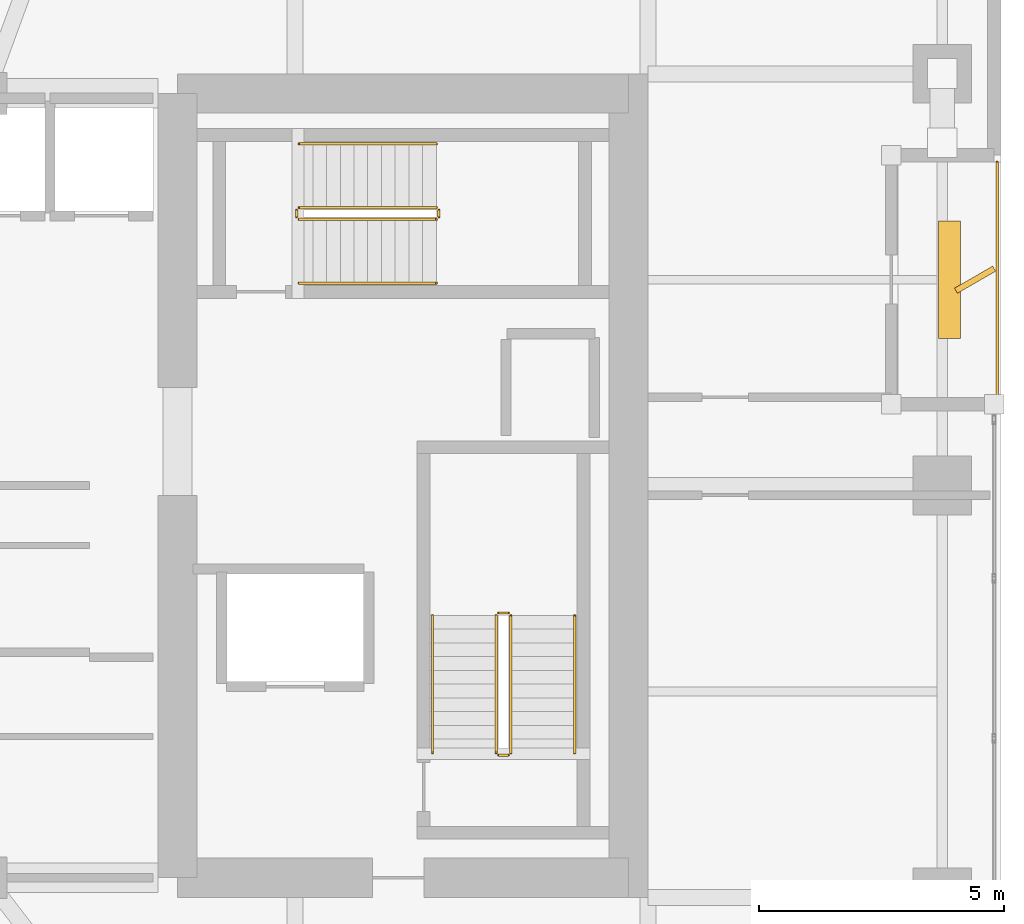
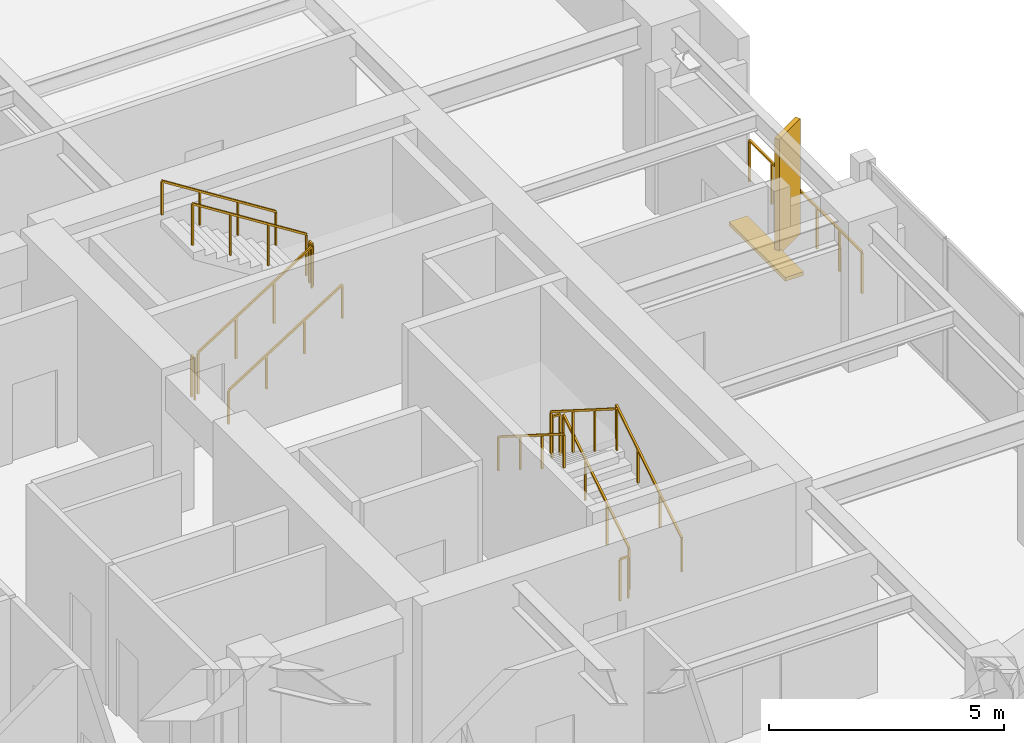
# One storey, part 29 of 30: 13 railings, 2 shading devices.
"""IFC4 building model written with IfcOpenShell, lengths in metres."""

from ifc_helpers import new_model, si_unit, direction, frame, origin, origin_2d, place, context, subcontext, project, spatial, rectangle, extrude, material, type_object, element, save


model = new_model("IFC4")

# Units and contexts
model_context = context("Model", 3, precision=1e-05, world=origin(), true_north=direction((0.0, 1.0)))
body_context = subcontext(model_context, "Body", "Model", "MODEL_VIEW")
ifc_project = project(units=[si_unit("LENGTHUNIT", "METRE"), si_unit("AREAUNIT", "SQUARE_METRE"), si_unit("VOLUMEUNIT", "CUBIC_METRE"), si_unit("PLANEANGLEUNIT", "RADIAN"), si_unit("MASSUNIT", "GRAM", prefix="KILO")], contexts=[model_context])

# Site, building, storey
site_placement = place(None, origin())
site = spatial("IfcSite", under=ifc_project, at=site_placement, CompositionType="ELEMENT")
building_placement = place(site_placement, origin())
building = spatial("IfcBuilding", under=site, at=building_placement, Name="Kiyonajd Concourse Tower", CompositionType="ELEMENT")
storey_placement = place(building_placement, frame((0.0, 0.0, 162.300048828125)))
storey = spatial("IfcBuildingStorey", under=building, at=storey_placement, Name="L41", CompositionType="ELEMENT", Elevation=162.300048828125)

# Railings
ifc_material_1 = material(Name="Thermally Broken Anodised Aluminium", Category="aluminium")
railing_type_1 = type_object("IfcRailingType", Name="RL-GRD-LOG", PredefinedType="GUARDRAIL", material=ifc_material_1)
railing_1_placement = place(storey_placement, frame((70.719970703125, 37.800048828125, 0.0)))
element("IfcRailing", 1, at=railing_1_placement, inside=storey, type_object=railing_type_1, Name="L41 Engawa Loggia Perimeter Guard LOG-E", PredefinedType="GUARDRAIL", context=body_context, shape_type="SweptSolid", body=[
    extrude(rectangle(XDim=0.048095703125, YDim=0.048095703125, at=origin_2d()), frame((0.0, 0.0, 1.076171875), z_axis=(0.0, 1.0, 0.0), x_axis=(-1.0, 0.0, 0.0)), (0.0, 0.0, 1.0), 4.800048828125),
    extrude(rectangle(XDim=0.0419921875, YDim=0.0419921875, at=origin_2d()), origin(), (0.0, 0.0, 1.0), 1.052001953125),
    extrude(rectangle(XDim=0.0419921875, YDim=0.0419921875, at=origin_2d()), frame((0.0, 0.9599609375, 0.0)), (0.0, 0.0, 1.0), 1.052001953125),
    extrude(rectangle(XDim=0.0419921875, YDim=0.0419921875, at=origin_2d()), frame((0.0, 1.919921875, 0.0)), (0.0, 0.0, 1.0), 1.052001953125),
    extrude(rectangle(XDim=0.0419921875, YDim=0.0419921875, at=origin_2d()), frame((0.0, 2.880126953125, 0.0)), (0.0, 0.0, 1.0), 1.052001953125),
    extrude(rectangle(XDim=0.0419921875, YDim=0.0419921875, at=origin_2d()), frame((0.0, 3.840087890625, 0.0)), (0.0, 0.0, 1.0), 1.052001953125),
    extrude(rectangle(XDim=0.0419921875, YDim=0.0419921875, at=origin_2d()), frame((0.0, 4.800048828125, 0.0)), (0.0, 0.0, 1.0), 1.052001953125),
])
ifc_material_2 = material(Name="Steel ASTM A500 Grade C", Category="steel")
railing_type_2 = type_object("IfcRailingType", Name="RL-GRD-STR", PredefinedType="GUARDRAIL", material=ifc_material_2)
railing_2_placement = place(storey_placement, frame((60.800048828125, 30.550048828125, 0.17724609375)))
element("IfcRailing", 2, at=railing_2_placement, inside=storey, type_object=railing_type_2, Name="L41 ST2 stair guard 1", PredefinedType="GUARDRAIL", context=body_context, shape_type="SweptSolid", body=[
    extrude(rectangle(XDim=0.048095703125, YDim=0.048095703125, at=origin_2d()), frame((0.0, 0.0, 1.076171875), z_axis=(0.0, 0.844908973607, 0.534910110503), x_axis=(-1.0, 0.0, 0.0)), (0.0, 0.0, 1.0), 3.31396484375),
    extrude(rectangle(XDim=0.0419921875, YDim=0.0419921875, at=origin_2d()), origin(), (0.0, 0.0, 1.0), 1.052001953125),
    extrude(rectangle(XDim=0.0419921875, YDim=0.0419921875, at=origin_2d()), frame((0.0, 0.933349609375, 0.5908203125)), (0.0, 0.0, 1.0), 1.052001953125),
    extrude(rectangle(XDim=0.0419921875, YDim=0.0419921875, at=origin_2d()), frame((0.0, 1.86669921875, 1.181884765625)), (0.0, 0.0, 1.0), 1.052001953125),
    extrude(rectangle(XDim=0.0419921875, YDim=0.0419921875, at=origin_2d()), frame((0.0, 2.800048828125, 1.772705078125)), (0.0, 0.0, 1.0), 1.052001953125),
])
railing_3_placement = place(storey_placement, frame((60.75, 33.39990234375, 1.949951171875)))
element("IfcRailing", 3, at=railing_3_placement, inside=storey, type_object=railing_type_2, Name="L41 ST2 stair guard 2", PredefinedType="GUARDRAIL", context=body_context, shape_type="SweptSolid", body=[
    extrude(rectangle(XDim=0.048095703125, YDim=0.048095703125, at=origin_2d()), frame((0.0, 0.0, 1.076171875), z_axis=(-1.0, 0.0, 0.0), x_axis=(0.0, -1.0, 0.0)), (0.0, 0.0, 1.0), 0.199951171875),
    extrude(rectangle(XDim=0.0419921875, YDim=0.0419921875, at=origin_2d()), origin(), (0.0, 0.0, 1.0), 1.052001953125),
    extrude(rectangle(XDim=0.0419921875, YDim=0.0419921875, at=origin_2d()), frame((-0.199951171875, 0.0, 0.0)), (0.0, 0.0, 1.0), 1.052001953125),
])
railing_4_placement = place(storey_placement, frame((60.5, 33.35009765625, 2.127197265625)))
element("IfcRailing", 4, at=railing_4_placement, inside=storey, type_object=railing_type_2, Name="L41 ST2 stair guard 3", PredefinedType="GUARDRAIL", context=body_context, shape_type="SweptSolid", body=[
    extrude(rectangle(XDim=0.048095703125, YDim=0.048095703125, at=origin_2d()), frame((0.0, 0.0, 1.076171875), z_axis=(0.0, -0.844908973607, 0.534910110503), x_axis=(1.0, 0.0, 0.0)), (0.0, 0.0, 1.0), 3.31396484375),
    extrude(rectangle(XDim=0.0419921875, YDim=0.0419921875, at=origin_2d()), origin(), (0.0, 0.0, 1.0), 1.052001953125),
    extrude(rectangle(XDim=0.0419921875, YDim=0.0419921875, at=origin_2d()), frame((0.0, -0.933349609375, 0.5908203125)), (0.0, 0.0, 1.0), 1.052001953125),
    extrude(rectangle(XDim=0.0419921875, YDim=0.0419921875, at=origin_2d()), frame((0.0, -1.86669921875, 1.181884765625)), (0.0, 0.0, 1.0), 1.052001953125),
    extrude(rectangle(XDim=0.0419921875, YDim=0.0419921875, at=origin_2d()), frame((0.0, -2.800048828125, 1.772705078125)), (0.0, 0.0, 1.0), 1.052001953125),
])
railing_5_placement = place(storey_placement, frame((60.75, 30.5, 0.0)))
element("IfcRailing", 5, at=railing_5_placement, inside=storey, type_object=railing_type_2, Name="L41 ST2 stair guard 4", PredefinedType="GUARDRAIL", context=body_context, shape_type="SweptSolid", body=[
    extrude(rectangle(XDim=0.048095703125, YDim=0.048095703125, at=origin_2d()), frame((0.0, 0.0, 1.076171875), z_axis=(-1.0, 0.0, 0.0), x_axis=(0.0, -1.0, 0.0)), (0.0, 0.0, 1.0), 0.199951171875),
    extrude(rectangle(XDim=0.0419921875, YDim=0.0419921875, at=origin_2d()), origin(), (0.0, 0.0, 1.0), 1.052001953125),
    extrude(rectangle(XDim=0.0419921875, YDim=0.0419921875, at=origin_2d()), frame((-0.199951171875, 0.0, 0.0)), (0.0, 0.0, 1.0), 1.052001953125),
])
railing_6_placement = place(storey_placement, frame((56.47998046875, 41.429931640625, 0.17724609375)))
element("IfcRailing", 6, at=railing_6_placement, inside=storey, type_object=railing_type_2, Name="L41 ST3 stair guard 1", PredefinedType="GUARDRAIL", context=body_context, shape_type="SweptSolid", body=[
    extrude(rectangle(XDim=0.048095703125, YDim=0.048095703125, at=origin_2d()), frame((0.0, 0.0, 1.076171875), z_axis=(0.844908973607, 0.0, 0.534910110503), x_axis=(0.0, 1.0, 0.0)), (0.0, 0.0, 1.0), 3.31396484375),
    extrude(rectangle(XDim=0.0419921875, YDim=0.0419921875, at=origin_2d()), origin(), (0.0, 0.0, 1.0), 1.052001953125),
    extrude(rectangle(XDim=0.0419921875, YDim=0.0419921875, at=origin_2d()), frame((0.933349609375, 0.0, 0.5908203125)), (0.0, 0.0, 1.0), 1.052001953125),
    extrude(rectangle(XDim=0.0419921875, YDim=0.0419921875, at=origin_2d()), frame((1.86669921875, 0.0, 1.181884765625)), (0.0, 0.0, 1.0), 1.052001953125),
    extrude(rectangle(XDim=0.0419921875, YDim=0.0419921875, at=origin_2d()), frame((2.800048828125, 0.0, 1.772705078125)), (0.0, 0.0, 1.0), 1.052001953125),
])
railing_7_placement = place(storey_placement, frame((59.330078125, 41.47998046875, 1.949951171875)))
element("IfcRailing", 7, at=railing_7_placement, inside=storey, type_object=railing_type_2, Name="L41 ST3 stair guard 2", PredefinedType="GUARDRAIL", context=body_context, shape_type="SweptSolid", body=[
    extrude(rectangle(XDim=0.048095703125, YDim=0.048095703125, at=origin_2d()), frame((0.0, 0.0, 1.076171875), z_axis=(0.0, 1.0, 0.0), x_axis=(-1.0, 0.0, 0.0)), (0.0, 0.0, 1.0), 0.14013671875),
    extrude(rectangle(XDim=0.0419921875, YDim=0.0419921875, at=origin_2d()), origin(), (0.0, 0.0, 1.0), 1.052001953125),
    extrude(rectangle(XDim=0.0419921875, YDim=0.0419921875, at=origin_2d()), frame((0.0, 0.14013671875, 0.0)), (0.0, 0.0, 1.0), 1.052001953125),
])
railing_8_placement = place(storey_placement, frame((59.280029296875, 41.669921875, 2.127197265625)))
element("IfcRailing", 8, at=railing_8_placement, inside=storey, type_object=railing_type_2, Name="L41 ST3 stair guard 3", PredefinedType="GUARDRAIL", context=body_context, shape_type="SweptSolid", body=[
    extrude(rectangle(XDim=0.048095703125, YDim=0.048095703125, at=origin_2d()), frame((0.0, 0.0, 1.076171875), z_axis=(-0.844908973607, 0.0, 0.534910110503), x_axis=(0.0, -1.0, 0.0)), (0.0, 0.0, 1.0), 3.31396484375),
    extrude(rectangle(XDim=0.0419921875, YDim=0.0419921875, at=origin_2d()), origin(), (0.0, 0.0, 1.0), 1.052001953125),
    extrude(rectangle(XDim=0.0419921875, YDim=0.0419921875, at=origin_2d()), frame((-0.933349609375, 0.0, 0.5908203125)), (0.0, 0.0, 1.0), 1.052001953125),
    extrude(rectangle(XDim=0.0419921875, YDim=0.0419921875, at=origin_2d()), frame((-1.86669921875, 0.0, 1.181884765625)), (0.0, 0.0, 1.0), 1.052001953125),
    extrude(rectangle(XDim=0.0419921875, YDim=0.0419921875, at=origin_2d()), frame((-2.800048828125, 0.0, 1.772705078125)), (0.0, 0.0, 1.0), 1.052001953125),
])
railing_9_placement = place(storey_placement, frame((56.429931640625, 41.47998046875, 0.0)))
element("IfcRailing", 9, at=railing_9_placement, inside=storey, type_object=railing_type_2, Name="L41 ST3 stair guard 4", PredefinedType="GUARDRAIL", context=body_context, shape_type="SweptSolid", body=[
    extrude(rectangle(XDim=0.048095703125, YDim=0.048095703125, at=origin_2d()), frame((0.0, 0.0, 1.076171875), z_axis=(0.0, 1.0, 0.0), x_axis=(-1.0, 0.0, 0.0)), (0.0, 0.0, 1.0), 0.14013671875),
    extrude(rectangle(XDim=0.0419921875, YDim=0.0419921875, at=origin_2d()), origin(), (0.0, 0.0, 1.0), 1.052001953125),
    extrude(rectangle(XDim=0.0419921875, YDim=0.0419921875, at=origin_2d()), frame((0.0, 0.14013671875, 0.0)), (0.0, 0.0, 1.0), 1.052001953125),
])
ifc_material_3 = material(Name="Brushed Stainless Steel Cab Assembly", Category="steel")
railing_type_3 = type_object("IfcRailingType", Name="RL-HND-900", PredefinedType="HANDRAIL", material=ifc_material_3)
railing_10_placement = place(storey_placement, frame((62.10009765625, 30.550048828125, 0.17724609375)))
element("IfcRailing", 10, at=railing_10_placement, inside=storey, type_object=railing_type_3, Name="L41 ST2 stair handrail 1", PredefinedType="HANDRAIL", context=body_context, shape_type="SweptSolid", body=[
    extrude(rectangle(XDim=0.048095703125, YDim=0.048095703125, at=origin_2d()), frame((0.0, 0.0, 0.8759765625), z_axis=(0.0, 0.844908973607, 0.534910110503), x_axis=(-1.0, 0.0, 0.0)), (0.0, 0.0, 1.0), 3.31396484375),
    extrude(rectangle(XDim=0.0419921875, YDim=0.0419921875, at=origin_2d()), origin(), (0.0, 0.0, 1.0), 0.851806640625),
    extrude(rectangle(XDim=0.0419921875, YDim=0.0419921875, at=origin_2d()), frame((0.0, 0.933349609375, 0.5908203125)), (0.0, 0.0, 1.0), 0.851806640625),
    extrude(rectangle(XDim=0.0419921875, YDim=0.0419921875, at=origin_2d()), frame((0.0, 1.86669921875, 1.181884765625)), (0.0, 0.0, 1.0), 0.851806640625),
    extrude(rectangle(XDim=0.0419921875, YDim=0.0419921875, at=origin_2d()), frame((0.0, 2.800048828125, 1.772705078125)), (0.0, 0.0, 1.0), 0.851806640625),
])
railing_11_placement = place(storey_placement, frame((59.199951171875, 33.35009765625, 2.127197265625)))
element("IfcRailing", 11, at=railing_11_placement, inside=storey, type_object=railing_type_3, Name="L41 ST2 stair handrail 2", PredefinedType="HANDRAIL", context=body_context, shape_type="SweptSolid", body=[
    extrude(rectangle(XDim=0.048095703125, YDim=0.048095703125, at=origin_2d()), frame((0.0, 0.0, 0.8759765625), z_axis=(0.0, -0.844908973607, 0.534910110503), x_axis=(1.0, 0.0, 0.0)), (0.0, 0.0, 1.0), 3.31396484375),
    extrude(rectangle(XDim=0.0419921875, YDim=0.0419921875, at=origin_2d()), origin(), (0.0, 0.0, 1.0), 0.851806640625),
    extrude(rectangle(XDim=0.0419921875, YDim=0.0419921875, at=origin_2d()), frame((0.0, -0.933349609375, 0.5908203125)), (0.0, 0.0, 1.0), 0.851806640625),
    extrude(rectangle(XDim=0.0419921875, YDim=0.0419921875, at=origin_2d()), frame((0.0, -1.86669921875, 1.181884765625)), (0.0, 0.0, 1.0), 0.851806640625),
    extrude(rectangle(XDim=0.0419921875, YDim=0.0419921875, at=origin_2d()), frame((0.0, -2.800048828125, 1.772705078125)), (0.0, 0.0, 1.0), 0.851806640625),
])
railing_12_placement = place(storey_placement, frame((56.47998046875, 40.1298828125, 0.17724609375)))
element("IfcRailing", 12, at=railing_12_placement, inside=storey, type_object=railing_type_3, Name="L41 ST3 stair handrail 1", PredefinedType="HANDRAIL", context=body_context, shape_type="SweptSolid", body=[
    extrude(rectangle(XDim=0.048095703125, YDim=0.048095703125, at=origin_2d()), frame((0.0, 0.0, 0.8759765625), z_axis=(0.844908973607, 0.0, 0.534910110503), x_axis=(0.0, 1.0, 0.0)), (0.0, 0.0, 1.0), 3.31396484375),
    extrude(rectangle(XDim=0.0419921875, YDim=0.0419921875, at=origin_2d()), origin(), (0.0, 0.0, 1.0), 0.851806640625),
    extrude(rectangle(XDim=0.0419921875, YDim=0.0419921875, at=origin_2d()), frame((0.933349609375, 0.0, 0.5908203125)), (0.0, 0.0, 1.0), 0.851806640625),
    extrude(rectangle(XDim=0.0419921875, YDim=0.0419921875, at=origin_2d()), frame((1.86669921875, 0.0, 1.181884765625)), (0.0, 0.0, 1.0), 0.851806640625),
    extrude(rectangle(XDim=0.0419921875, YDim=0.0419921875, at=origin_2d()), frame((2.800048828125, 0.0, 1.772705078125)), (0.0, 0.0, 1.0), 0.851806640625),
])
railing_13_placement = place(storey_placement, frame((59.280029296875, 42.969970703125, 2.127197265625)))
element("IfcRailing", 13, at=railing_13_placement, inside=storey, type_object=railing_type_3, Name="L41 ST3 stair handrail 2", PredefinedType="HANDRAIL", context=body_context, shape_type="SweptSolid", body=[
    extrude(rectangle(XDim=0.048095703125, YDim=0.048095703125, at=origin_2d()), frame((0.0, 0.0, 0.8759765625), z_axis=(-0.844908973607, 0.0, 0.534910110503), x_axis=(0.0, -1.0, 0.0)), (0.0, 0.0, 1.0), 3.31396484375),
    extrude(rectangle(XDim=0.0419921875, YDim=0.0419921875, at=origin_2d()), origin(), (0.0, 0.0, 1.0), 0.851806640625),
    extrude(rectangle(XDim=0.0419921875, YDim=0.0419921875, at=origin_2d()), frame((-0.933349609375, 0.0, 0.5908203125)), (0.0, 0.0, 1.0), 0.851806640625),
    extrude(rectangle(XDim=0.0419921875, YDim=0.0419921875, at=origin_2d()), frame((-1.86669921875, 0.0, 1.181884765625)), (0.0, 0.0, 1.0), 0.851806640625),
    extrude(rectangle(XDim=0.0419921875, YDim=0.0419921875, at=origin_2d()), frame((-2.800048828125, 0.0, 1.772705078125)), (0.0, 0.0, 1.0), 0.851806640625),
])

# Shading devices
ifc_material_4 = material(Name="Precast concrete C50/60", Category="concrete")
shading_device_type_1 = type_object("IfcShadingDeviceType", Name="SH-FIN-900", PredefinedType="USERDEFINED", material=ifc_material_4)
shading_device_1_placement = place(storey_placement, frame((70.27001953125, 40.199951171875, 0.0), z_axis=(0.0, 0.0, 1.0), x_axis=(0.866025403784, 0.5, 0.0)))
element("IfcShadingDevice", 14, at=shading_device_1_placement, inside=storey, type_object=shading_device_type_1, Name="L41 Angled Koshi Solar Fin LOG-E", ObjectType="FIN", PredefinedType="USERDEFINED", context=body_context, shape_type="SweptSolid", body=[
    extrude(rectangle(XDim=0.89990234375, YDim=0.1201171875, at=origin_2d()), origin(), (0.0, 0.0, 1.0), 3.0),
])
shading_device_type_2 = type_object("IfcShadingDeviceType", Name="SH-LVR-600", PredefinedType="JALOUSIE", material=ifc_material_1)
shading_device_2_placement = place(storey_placement, frame((69.75, 40.199951171875, 0.0), z_axis=(0.0, 0.0, 1.0), x_axis=(0.0, 1.0, 0.0)))
element("IfcShadingDevice", 15, at=shading_device_2_placement, inside=storey, type_object=shading_device_type_2, Name="L41 Loggia Threshold Louver LOG-E", PredefinedType="JALOUSIE", context=body_context, shape_type="SweptSolid", body=[
    extrude(rectangle(XDim=2.39990234375, YDim=0.449951171875, at=origin_2d()), origin(), (0.0, 0.0, 1.0), 0.10009765625),
])

save(model, "model.ifc")
